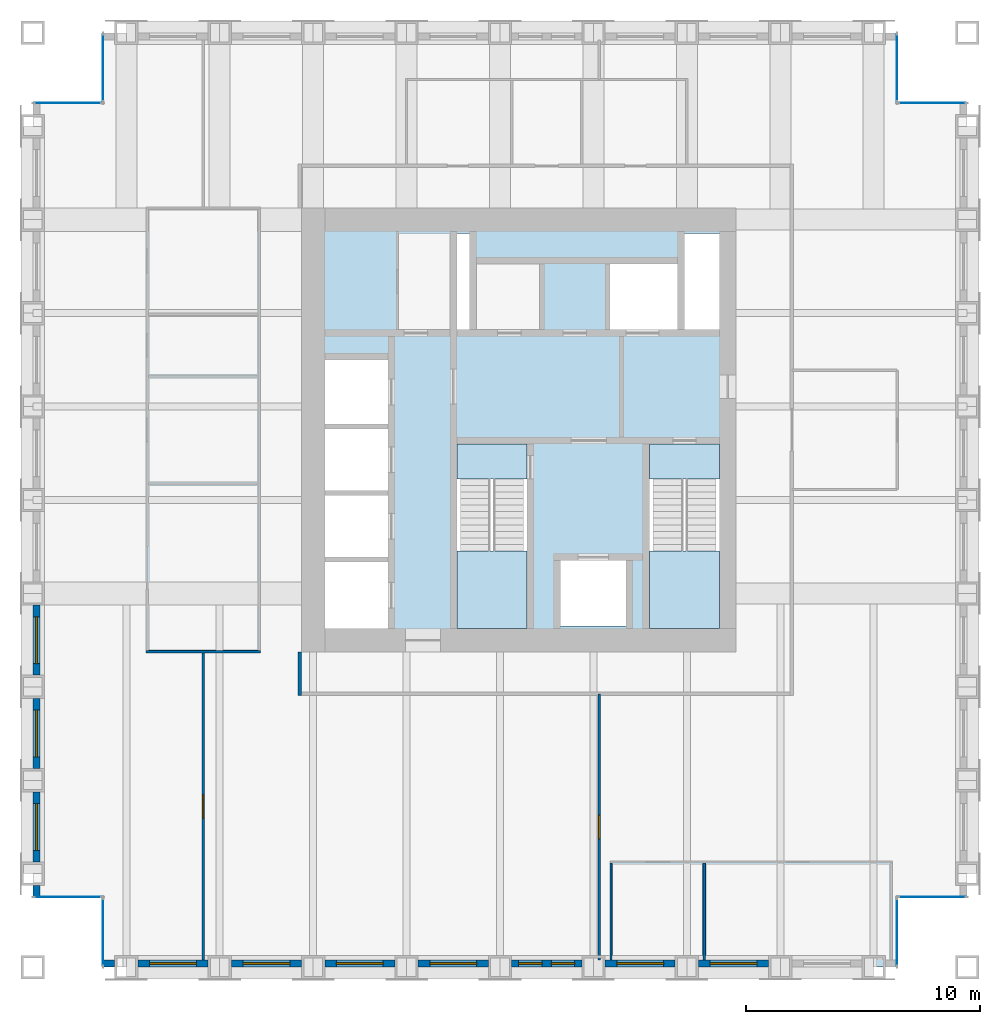
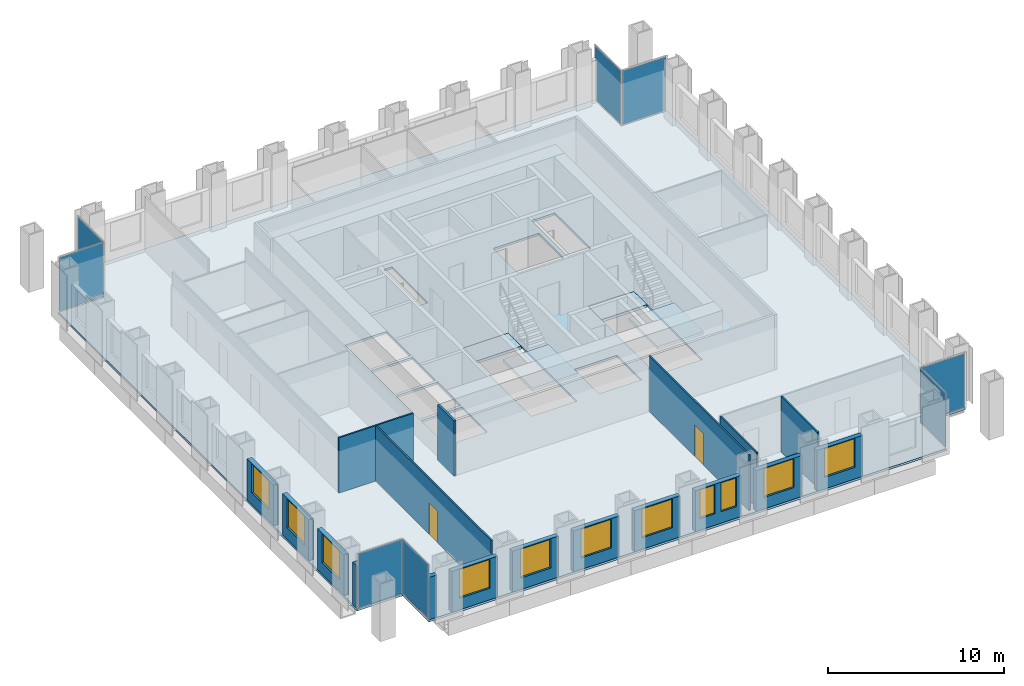
# One storey, part 7 of 11: 18 walls, 11 windows, 8 plates, 5 slabs, 2 doors, 13 openings, 10 elements without a shape of their own.
"""IFC4 building model written with IfcOpenShell, lengths in metres."""

from ifc_helpers import new_model, si_unit, direction, frame, frame_2d, origin, origin_2d, place, context, subcontext, project, spatial, polyline, rectangle, outline, extrude, material, layer, layer_set, type_object, element, fill, aggregate, save


model = new_model("IFC4")

# Units and contexts
model_context = context("Model", 3, precision=1e-05, world=origin(), true_north=direction((0.0, 1.0)))
body_context = subcontext(model_context, "Body", "Model", "MODEL_VIEW")
ifc_project = project(units=[si_unit("LENGTHUNIT", "METRE"), si_unit("AREAUNIT", "SQUARE_METRE"), si_unit("VOLUMEUNIT", "CUBIC_METRE"), si_unit("PLANEANGLEUNIT", "RADIAN"), si_unit("MASSUNIT", "GRAM", prefix="KILO")], contexts=[model_context])

# Site, building, storey
site_placement = place(None, origin())
site = spatial("IfcSite", under=ifc_project, at=site_placement, CompositionType="ELEMENT")
building_placement = place(site_placement, origin())
building = spatial("IfcBuilding", under=site, at=building_placement, Name="Rimbunsela Tower", CompositionType="ELEMENT")
storey_placement = place(building_placement, frame((0.0, 0.0, 282.199951171875)))
storey = spatial("IfcBuildingStorey", under=building, at=storey_placement, Name="L68", CompositionType="ELEMENT", Elevation=282.199951171875)

# Slab
ifc_material_1 = material(Name="Concrete fc' 35 MPa", Category="concrete")
ifc_layer_1 = layer(ifc_material_1, 0.14990234375)
ifc_layer_set_1 = layer_set([ifc_layer_1], Name="Floor slab 150")
slab_type_1 = type_object("IfcSlabType", Name="Floor slab 150", PredefinedType="FLOOR", material=ifc_layer_set_1)
slab_1_placement = place(storey_placement, frame((0.0, 0.0, -0.14990234375)))
element("IfcSlab", 1, at=slab_1_placement, inside=storey, type_object=slab_type_1, Name="Floor slab L68", PredefinedType="FLOOR", context=body_context, shape_type="SweptSolid", body=[
    extrude(outline(polyline([(9.0, 4.0), (43.0, 4.0), (43.0, 7.0), (46.0, 7.0), (46.0, 41.0), (43.0, 41.0), (43.0, 44.0), (9.0, 44.0), (9.0, 41.0), (6.0, 41.0), (6.0, 7.0), (9.0, 7.0), (9.0, 4.0)]), holes=[polyline([(21.199951171875, 21.35009765625), (18.5, 21.35009765625), (18.5, 18.5), (21.199951171875, 18.5), (21.199951171875, 21.35009765625)]), polyline([(21.199951171875, 21.550048828125), (21.199951171875, 24.199951171875), (18.5, 24.199951171875), (18.5, 21.550048828125), (21.199951171875, 21.550048828125)]), polyline([(21.199951171875, 27.050048828125), (18.5, 27.050048828125), (18.5, 24.39990234375), (21.199951171875, 24.39990234375), (21.199951171875, 27.050048828125)]), polyline([(21.199951171875, 30.0), (18.5, 30.0), (18.5, 27.25), (21.199951171875, 27.25), (21.199951171875, 30.0)]), polyline([(27.14990234375, 26.39990234375), (24.14990234375, 26.39990234375), (24.14990234375, 18.60009765625), (27.14990234375, 18.60009765625), (27.14990234375, 26.39990234375)]), polyline([(24.699951171875, 31.300048828125), (24.699951171875, 35.39990234375), (24.14990234375, 35.39990234375), (24.14990234375, 31.300048828125), (24.699951171875, 31.300048828125)]), polyline([(31.39990234375, 21.39990234375), (28.60009765625, 21.39990234375), (28.60009765625, 18.60009765625), (31.39990234375, 18.60009765625), (31.39990234375, 21.39990234375)]), polyline([(33.60009765625, 34.10009765625), (30.60009765625, 34.10009765625), (30.60009765625, 31.300048828125), (33.60009765625, 31.300048828125), (33.60009765625, 34.10009765625)]), polyline([(35.39990234375, 18.60009765625), (35.39990234375, 26.39990234375), (32.39990234375, 26.39990234375), (32.39990234375, 18.60009765625), (35.39990234375, 18.60009765625)]), polyline([(35.39990234375, 31.300048828125), (35.39990234375, 35.39990234375), (33.89990234375, 35.39990234375), (33.89990234375, 31.300048828125), (35.39990234375, 31.300048828125)])]), origin(), (0.0, 0.0, 1.0), 0.14990234375),
])

# Curtain wall, plate
ifc_material_2 = material(Name="Aluminium curtain wall", Category="aluminium")
curtain_wall_type = type_object("IfcCurtainWallType", Name="Corner glazing", PredefinedType="USERDEFINED", material=ifc_material_2)
curtain_wall_1_placement = place(storey_placement, origin())
curtain_wall_1 = element("IfcCurtainWall", 2, at=curtain_wall_1_placement, inside=storey, type_object=curtain_wall_type, Name="Corner glazing L68", ObjectType="CORNER GLAZING", PredefinedType="USERDEFINED")
ifc_material_3 = material(Name="Clear double glazing", Category="glass")
ifc_layer_2 = layer(ifc_material_3, 0.028076171875)
ifc_layer_set_2 = layer_set([ifc_layer_2], Name="Glazed panel clear")
plate_type = type_object("IfcPlateType", Name="Glazed panel clear", PredefinedType="CURTAIN_PANEL", material=ifc_layer_set_2)
plate_1_placement = place(storey_placement, frame((43.0, 5.5, 0.06005859375), z_axis=(0.0, 0.0, 1.0), x_axis=(0.0, 1.0, 0.0)))
plate_1 = element("IfcPlate", 3, at=plate_1_placement, type_object=plate_type, Name="CW5 panel 1.1", PredefinedType="CURTAIN_PANEL", context=body_context, shape_type="SweptSolid", body=[
    extrude(rectangle(XDim=2.8798828125, YDim=0.028076171875, at=origin_2d()), origin(), (0.0, 0.0, 1.0), 3.72998046875),
])
aggregate(curtain_wall_1, [plate_1])

curtain_wall_2_placement = place(storey_placement, origin())
curtain_wall_2 = element("IfcCurtainWall", 4, at=curtain_wall_2_placement, inside=storey, type_object=curtain_wall_type, Name="Corner glazing L68", ObjectType="CORNER GLAZING", PredefinedType="USERDEFINED")
plate_2_placement = place(storey_placement, frame((44.5, 7.0, 0.06005859375), z_axis=(0.0, 0.0, 1.0), x_axis=(1.0, 0.0, 0.0)))
plate_2 = element("IfcPlate", 5, at=plate_2_placement, type_object=plate_type, Name="CW5 panel 1.1", PredefinedType="CURTAIN_PANEL", context=body_context, shape_type="SweptSolid", body=[
    extrude(rectangle(XDim=2.8798828125, YDim=0.028076171875, at=origin_2d()), origin(), (0.0, 0.0, 1.0), 3.72998046875),
])
aggregate(curtain_wall_2, [plate_2])

curtain_wall_3_placement = place(storey_placement, origin())
curtain_wall_3 = element("IfcCurtainWall", 6, at=curtain_wall_3_placement, inside=storey, type_object=curtain_wall_type, Name="Corner glazing L68", ObjectType="CORNER GLAZING", PredefinedType="USERDEFINED")
plate_3_placement = place(storey_placement, frame((44.5, 41.0, 0.06005859375), z_axis=(0.0, 0.0, 1.0), x_axis=(-1.0, 0.0, 0.0)))
plate_3 = element("IfcPlate", 7, at=plate_3_placement, type_object=plate_type, Name="CW5 panel 1.1", PredefinedType="CURTAIN_PANEL", context=body_context, shape_type="SweptSolid", body=[
    extrude(rectangle(XDim=2.8798828125, YDim=0.028076171875, at=origin_2d()), origin(), (0.0, 0.0, 1.0), 3.72998046875),
])
aggregate(curtain_wall_3, [plate_3])

curtain_wall_4_placement = place(storey_placement, origin())
curtain_wall_4 = element("IfcCurtainWall", 8, at=curtain_wall_4_placement, inside=storey, type_object=curtain_wall_type, Name="Corner glazing L68", ObjectType="CORNER GLAZING", PredefinedType="USERDEFINED")
plate_4_placement = place(storey_placement, frame((43.0, 42.5, 0.06005859375), z_axis=(0.0, 0.0, 1.0), x_axis=(0.0, 1.0, 0.0)))
plate_4 = element("IfcPlate", 9, at=plate_4_placement, type_object=plate_type, Name="CW5 panel 1.1", PredefinedType="CURTAIN_PANEL", context=body_context, shape_type="SweptSolid", body=[
    extrude(rectangle(XDim=2.8798828125, YDim=0.028076171875, at=origin_2d()), origin(), (0.0, 0.0, 1.0), 3.72998046875),
])
aggregate(curtain_wall_4, [plate_4])

curtain_wall_5_placement = place(storey_placement, origin())
curtain_wall_5 = element("IfcCurtainWall", 10, at=curtain_wall_5_placement, inside=storey, type_object=curtain_wall_type, Name="Corner glazing L68", ObjectType="CORNER GLAZING", PredefinedType="USERDEFINED")
plate_5_placement = place(storey_placement, frame((9.0, 42.5, 0.06005859375), z_axis=(0.0, 0.0, 1.0), x_axis=(0.0, -1.0, 0.0)))
plate_5 = element("IfcPlate", 11, at=plate_5_placement, type_object=plate_type, Name="CW5 panel 1.1", PredefinedType="CURTAIN_PANEL", context=body_context, shape_type="SweptSolid", body=[
    extrude(rectangle(XDim=2.8798828125, YDim=0.028076171875, at=origin_2d()), origin(), (0.0, 0.0, 1.0), 3.72998046875),
])
aggregate(curtain_wall_5, [plate_5])

curtain_wall_6_placement = place(storey_placement, origin())
curtain_wall_6 = element("IfcCurtainWall", 12, at=curtain_wall_6_placement, inside=storey, type_object=curtain_wall_type, Name="Corner glazing L68", ObjectType="CORNER GLAZING", PredefinedType="USERDEFINED")
plate_6_placement = place(storey_placement, frame((7.5, 41.0, 0.06005859375), z_axis=(0.0, 0.0, 1.0), x_axis=(-1.0, 0.0, 0.0)))
plate_6 = element("IfcPlate", 13, at=plate_6_placement, type_object=plate_type, Name="CW5 panel 1.1", PredefinedType="CURTAIN_PANEL", context=body_context, shape_type="SweptSolid", body=[
    extrude(rectangle(XDim=2.8798828125, YDim=0.028076171875, at=origin_2d()), origin(), (0.0, 0.0, 1.0), 3.72998046875),
])
aggregate(curtain_wall_6, [plate_6])

curtain_wall_7_placement = place(storey_placement, origin())
curtain_wall_7 = element("IfcCurtainWall", 14, at=curtain_wall_7_placement, inside=storey, type_object=curtain_wall_type, Name="Corner glazing L68", ObjectType="CORNER GLAZING", PredefinedType="USERDEFINED")
plate_7_placement = place(storey_placement, frame((7.5, 7.0, 0.06005859375), z_axis=(0.0, 0.0, 1.0), x_axis=(1.0, 0.0, 0.0)))
plate_7 = element("IfcPlate", 15, at=plate_7_placement, type_object=plate_type, Name="CW5 panel 1.1", PredefinedType="CURTAIN_PANEL", context=body_context, shape_type="SweptSolid", body=[
    extrude(rectangle(XDim=2.8798828125, YDim=0.028076171875, at=origin_2d()), origin(), (0.0, 0.0, 1.0), 3.72998046875),
])
aggregate(curtain_wall_7, [plate_7])

curtain_wall_8_placement = place(storey_placement, origin())
curtain_wall_8 = element("IfcCurtainWall", 16, at=curtain_wall_8_placement, inside=storey, type_object=curtain_wall_type, Name="Corner glazing L68", ObjectType="CORNER GLAZING", PredefinedType="USERDEFINED")
plate_8_placement = place(storey_placement, frame((9.0, 5.5, 0.06005859375), z_axis=(0.0, 0.0, 1.0), x_axis=(0.0, -1.0, 0.0)))
plate_8 = element("IfcPlate", 17, at=plate_8_placement, type_object=plate_type, Name="CW5 panel 1.1", PredefinedType="CURTAIN_PANEL", context=body_context, shape_type="SweptSolid", body=[
    extrude(rectangle(XDim=2.8798828125, YDim=0.028076171875, at=origin_2d()), origin(), (0.0, 0.0, 1.0), 3.72998046875),
])
aggregate(curtain_wall_8, [plate_8])

# Stair, slabs
ifc_material_4 = material(Name="Concrete fc' 35 MPa", Category="concrete")
stair_type = type_object("IfcStairType", Name="Exit stair 24 risers", PredefinedType="HALF_TURN_STAIR", material=ifc_material_4)
stair_1_placement = place(storey_placement, origin())
stair_1 = element("IfcStair", 18, at=stair_1_placement, inside=storey, type_object=stair_type, Name="Exit stair A L68", PredefinedType="HALF_TURN_STAIR")
ifc_material_5 = material(Name="Concrete fc' 35 MPa", Category="concrete")
ifc_layer_3 = layer(ifc_material_5, 0.199951171875)
ifc_layer_set_3 = layer_set([ifc_layer_3], Name="Stair landing 200")
slab_type_2 = type_object("IfcSlabType", Name="Stair landing 200", PredefinedType="LANDING", material=ifc_layer_set_3)
slab_2_placement = place(storey_placement, frame((0.0, 0.0, -0.199951171875)))
slab_2 = element("IfcSlab", 19, at=slab_2_placement, type_object=slab_type_2, Name="ST-A landing 1", PredefinedType="LANDING", context=body_context, shape_type="SweptSolid", body=[
    extrude(outline(polyline([(24.14990234375, 24.89990234375), (27.14990234375, 24.89990234375), (27.14990234375, 26.39990234375), (24.14990234375, 26.39990234375), (24.14990234375, 24.89990234375)])), origin(), (0.0, 0.0, 1.0), 0.199951171875),
])
slab_3_placement = place(storey_placement, frame((0.0, 0.0, 1.800048828125)))
slab_3 = element("IfcSlab", 20, at=slab_3_placement, type_object=slab_type_2, Name="ST-A landing 2", PredefinedType="LANDING", context=body_context, shape_type="SweptSolid", body=[
    extrude(outline(polyline([(24.14990234375, 18.5), (27.14990234375, 18.5), (27.14990234375, 21.820068359375), (24.14990234375, 21.820068359375), (24.14990234375, 18.5)])), origin(), (0.0, 0.0, 1.0), 0.199951171875),
])
aggregate(stair_1, [slab_2, slab_3])

stair_2_placement = place(storey_placement, origin())
stair_2 = element("IfcStair", 21, at=stair_2_placement, inside=storey, type_object=stair_type, Name="Exit stair B L68", PredefinedType="HALF_TURN_STAIR")
slab_4_placement = place(storey_placement, frame((0.0, 0.0, -0.199951171875)))
slab_4 = element("IfcSlab", 22, at=slab_4_placement, type_object=slab_type_2, Name="ST-B landing 1", PredefinedType="LANDING", context=body_context, shape_type="SweptSolid", body=[
    extrude(outline(polyline([(32.39990234375, 24.89990234375), (35.39990234375, 24.89990234375), (35.39990234375, 26.39990234375), (32.39990234375, 26.39990234375), (32.39990234375, 24.89990234375)])), origin(), (0.0, 0.0, 1.0), 0.199951171875),
])
slab_5_placement = place(storey_placement, frame((0.0, 0.0, 1.800048828125)))
slab_5 = element("IfcSlab", 23, at=slab_5_placement, type_object=slab_type_2, Name="ST-B landing 2", PredefinedType="LANDING", context=body_context, shape_type="SweptSolid", body=[
    extrude(outline(polyline([(32.39990234375, 18.5), (35.39990234375, 18.5), (35.39990234375, 21.820068359375), (32.39990234375, 21.820068359375), (32.39990234375, 18.5)])), origin(), (0.0, 0.0, 1.0), 0.199951171875),
])
aggregate(stair_2, [slab_4, slab_5])

# Walls
ifc_material_6 = material(Name="Gypsum board on steel studs", Category="steel")
ifc_layer_4 = layer(ifc_material_6, 0.10009765625)
ifc_layer_set_4 = layer_set([ifc_layer_4], Name="Office partition 100")
wall_type_1 = type_object("IfcWallType", Name="Office partition 100", PredefinedType="PARTITIONING", material=ifc_layer_set_4)
wall_1_placement = place(storey_placement, frame((10.85009765625, 17.5, 0.0), z_axis=(0.0, 0.0, 1.0), x_axis=(1.0, 0.0, 0.0)))
element("IfcWall", 24, at=wall_1_placement, inside=storey, type_object=wall_type_1, Name="Office partition", PredefinedType="PARTITIONING", context=body_context, shape_type="SweptSolid", body=[
    extrude(rectangle(XDim=4.89990234375, YDim=0.10009765625, at=frame_2d((2.449951171875, 0.0))), origin(), (0.0, 0.0, 1.0), 3.85009765625),
])
for number, where, z_axis, x_axis, name in (
    (25, (30.75, 4.300048828125, 0.0), (0.0, 0.0, 1.0), (0.0, 1.0, 0.0), "Office partition"),
    (26, (34.75, 4.300048828125, 0.0), (0.0, 0.0, 1.0), (0.0, 1.0, 0.0), "Office partition"),
):
    element("IfcWall", number, at=place(storey_placement, frame(where, z_axis=z_axis, x_axis=x_axis)), inside=storey, type_object=wall_type_1, Name=name, PredefinedType="PARTITIONING", context=body_context, shape_type="SweptSolid", body=[
        extrude(rectangle(XDim=4.14990234375, YDim=0.10009765625, at=frame_2d((2.074951171875, 0.0))), origin(), (0.0, 0.0, 1.0), 3.85009765625),
    ])

# Wall, opening, door
wall_2_placement = place(storey_placement, frame((30.25, 15.699951171875, 0.0), z_axis=(0.0, 0.0, 1.0), x_axis=(0.0, -1.0, 0.0)))
wall_2 = element("IfcWall", 27, at=wall_2_placement, inside=storey, type_object=wall_type_1, Name="Office partition", PredefinedType="PARTITIONING", context=body_context, shape_type="SweptSolid", body=[
    extrude(rectangle(XDim=11.39990234375, YDim=0.10009765625, at=frame_2d((5.699951171875, 0.0))), origin(), (0.0, 0.0, 1.0), 3.85009765625),
])
opening_1_placement = place(wall_2_placement, frame((5.199951171875, 0.0, 0.0)))
opening_1 = element("IfcOpeningElement", 28, at=opening_1_placement, cuts=wall_2, Name="Opening D17", PredefinedType="OPENING", context=body_context, shape_type="SweptSolid", body=[
    extrude(rectangle(XDim=1.0, YDim=2.199951171875, at=frame_2d((0.5, 1.10009765625))), frame((0.0, 0.06005859375, 0.0), z_axis=(0.0, -1.0, 0.0), x_axis=(1.0, 0.0, 0.0)), (0.0, 0.0, 1.0), 0.1201171875),
])
ifc_material_7 = material(Name="Glazed aluminium door", Category="aluminium")
door_type = type_object("IfcDoorType", Name="Meeting room door 1000 glazed", OperationType="SINGLE_SWING_RIGHT", PredefinedType="DOOR", material=ifc_material_7)
door_1_placement = place(opening_1_placement, origin())
door_1 = element("IfcDoor", 29, at=door_1_placement, inside=storey, type_object=door_type, Name="Open office screen door", OperationType="SINGLE_SWING_RIGHT", OverallHeight=2.199951171875, OverallWidth=1.0, PredefinedType="DOOR", context=body_context, shape_type="SweptSolid", body=[
    extrude(rectangle(XDim=1.0, YDim=2.199951171875, at=frame_2d((0.5, 1.10009765625))), frame((0.0, 0.02490234375, 0.0), z_axis=(0.0, -1.0, 0.0), x_axis=(1.0, 0.0, 0.0)), (0.0, 0.0, 1.0), 0.050048828125),
])
fill(opening_1, door_1)

wall_3_placement = place(storey_placement, frame((13.300048828125, 4.300048828125, 0.0), z_axis=(0.0, 0.0, 1.0), x_axis=(0.0, 1.0, 0.0)))
wall_3 = element("IfcWall", 30, at=wall_3_placement, inside=storey, type_object=wall_type_1, Name="Office partition", PredefinedType="PARTITIONING", context=body_context, shape_type="SweptSolid", body=[
    extrude(rectangle(XDim=13.14990234375, YDim=0.10009765625, at=frame_2d((6.574951171875, 0.0))), origin(), (0.0, 0.0, 1.0), 3.85009765625),
])
opening_2_placement = place(wall_3_placement, frame((6.074951171875, 0.0, 0.0)))
opening_2 = element("IfcOpeningElement", 31, at=opening_2_placement, cuts=wall_3, Name="Opening D17", PredefinedType="OPENING", context=body_context, shape_type="SweptSolid", body=[
    extrude(rectangle(XDim=1.0, YDim=2.199951171875, at=frame_2d((0.5, 1.10009765625))), frame((0.0, 0.06005859375, 0.0), z_axis=(0.0, -1.0, 0.0), x_axis=(1.0, 0.0, 0.0)), (0.0, 0.0, 1.0), 0.1201171875),
])
door_2_placement = place(opening_2_placement, origin())
door_2 = element("IfcDoor", 32, at=door_2_placement, inside=storey, type_object=door_type, Name="Open office screen door", OperationType="SINGLE_SWING_RIGHT", OverallHeight=2.199951171875, OverallWidth=1.0, PredefinedType="DOOR", context=body_context, shape_type="SweptSolid", body=[
    extrude(rectangle(XDim=1.0, YDim=2.199951171875, at=frame_2d((0.5, 1.10009765625))), frame((0.0, 0.02490234375, 0.0), z_axis=(0.0, -1.0, 0.0), x_axis=(1.0, 0.0, 0.0)), (0.0, 0.0, 1.0), 0.050048828125),
])
fill(opening_2, door_2)

# Wall
ifc_material_8 = material(Name="Precast concrete fc' 35 MPa", Category="concrete")
ifc_layer_5 = layer(ifc_material_8, 0.300048828125)
ifc_layer_set_5 = layer_set([ifc_layer_5], Name="Precast concrete fc' 35 MPa")
wall_type_2 = type_object("IfcWallType", Name="Precast facade panel 300", PredefinedType="ELEMENTEDWALL", material=ifc_layer_set_5)
wall_4_placement = place(storey_placement, frame((9.030029296875, 4.14990234375, 0.0), z_axis=(0.0, 0.0, 1.0), x_axis=(1.0, 0.0, 0.0)))
element("IfcWall", 33, at=wall_4_placement, inside=storey, type_object=wall_type_2, Name="Facade panel S L68", PredefinedType="ELEMENTEDWALL", context=body_context, shape_type="SweptSolid", body=[
    extrude(rectangle(XDim=0.469970703125, YDim=0.300048828125, at=frame_2d((0.23486328125, 0.0))), origin(), (0.0, 0.0, 1.0), 2.949951171875),
])

# Wall, opening, window
wall_5_placement = place(storey_placement, frame((10.5, 4.14990234375, 0.0), z_axis=(0.0, 0.0, 1.0), x_axis=(1.0, 0.0, 0.0)))
wall_5 = element("IfcWall", 34, at=wall_5_placement, inside=storey, type_object=wall_type_2, Name="Facade panel S L68", PredefinedType="ELEMENTEDWALL", context=body_context, shape_type="SweptSolid", body=[
    extrude(rectangle(XDim=3.0, YDim=0.300048828125, at=frame_2d((1.5, 0.0))), origin(), (0.0, 0.0, 1.0), 2.85009765625),
])
opening_3_placement = place(wall_5_placement, frame((0.5, 0.0, 0.800048828125)))
opening_3 = element("IfcOpeningElement", 35, at=opening_3_placement, cuts=wall_5, Name="Opening W1", PredefinedType="OPENING", context=body_context, shape_type="SweptSolid", body=[
    extrude(rectangle(XDim=2.0, YDim=2.0, at=frame_2d((1.0, 1.0))), frame((0.0, 0.159912109375, 0.0), z_axis=(0.0, -1.0, 0.0), x_axis=(1.0, 0.0, 0.0)), (0.0, 0.0, 1.0), 0.320068359375),
])
ifc_material_9 = material(Name="Clear glass in aluminium frame", Category="aluminium")
window_type_1 = type_object("IfcWindowType", Name="Window W1 2000x2000", PartitioningType="DOUBLE_PANEL_VERTICAL", PredefinedType="WINDOW", material=ifc_material_9)
window_1_placement = place(opening_3_placement, origin())
window_1 = element("IfcWindow", 36, at=window_1_placement, inside=storey, type_object=window_type_1, Name="Window L68", OverallHeight=2.0, OverallWidth=2.0, PartitioningType="SINGLE_PANEL", PredefinedType="WINDOW", context=body_context, shape_type="SweptSolid", body=[
    extrude(rectangle(XDim=2.0, YDim=2.0, at=frame_2d((1.0, 1.0))), frame((0.0, 0.030029296875, 0.0), z_axis=(0.0, -1.0, 0.0), x_axis=(1.0, 0.0, 0.0)), (0.0, 0.0, 1.0), 0.06005859375),
])
fill(opening_3, window_1)

wall_6_placement = place(storey_placement, frame((14.5, 4.14990234375, 0.0), z_axis=(0.0, 0.0, 1.0), x_axis=(1.0, 0.0, 0.0)))
wall_6 = element("IfcWall", 37, at=wall_6_placement, inside=storey, type_object=wall_type_2, Name="Facade panel S L68", PredefinedType="ELEMENTEDWALL", context=body_context, shape_type="SweptSolid", body=[
    extrude(rectangle(XDim=3.0, YDim=0.300048828125, at=frame_2d((1.5, 0.0))), origin(), (0.0, 0.0, 1.0), 2.85009765625),
])
opening_4_placement = place(wall_6_placement, frame((0.5, 0.0, 0.800048828125)))
opening_4 = element("IfcOpeningElement", 38, at=opening_4_placement, cuts=wall_6, Name="Opening W1", PredefinedType="OPENING", context=body_context, shape_type="SweptSolid", body=[
    extrude(rectangle(XDim=2.0, YDim=2.0, at=frame_2d((1.0, 1.0))), frame((0.0, 0.159912109375, 0.0), z_axis=(0.0, -1.0, 0.0), x_axis=(1.0, 0.0, 0.0)), (0.0, 0.0, 1.0), 0.320068359375),
])
window_2_placement = place(opening_4_placement, origin())
window_2 = element("IfcWindow", 39, at=window_2_placement, inside=storey, type_object=window_type_1, Name="Window L68", OverallHeight=2.0, OverallWidth=2.0, PartitioningType="SINGLE_PANEL", PredefinedType="WINDOW", context=body_context, shape_type="SweptSolid", body=[
    extrude(rectangle(XDim=2.0, YDim=2.0, at=frame_2d((1.0, 1.0))), frame((0.0, 0.030029296875, 0.0), z_axis=(0.0, -1.0, 0.0), x_axis=(1.0, 0.0, 0.0)), (0.0, 0.0, 1.0), 0.06005859375),
])
fill(opening_4, window_2)

wall_7_placement = place(storey_placement, frame((18.5, 4.14990234375, 0.0), z_axis=(0.0, 0.0, 1.0), x_axis=(1.0, 0.0, 0.0)))
wall_7 = element("IfcWall", 40, at=wall_7_placement, inside=storey, type_object=wall_type_2, Name="Facade panel S L68", PredefinedType="ELEMENTEDWALL", context=body_context, shape_type="SweptSolid", body=[
    extrude(rectangle(XDim=3.0, YDim=0.300048828125, at=frame_2d((1.5, 0.0))), origin(), (0.0, 0.0, 1.0), 2.85009765625),
])
opening_5_placement = place(wall_7_placement, frame((0.5, 0.0, 0.800048828125)))
opening_5 = element("IfcOpeningElement", 41, at=opening_5_placement, cuts=wall_7, Name="Opening W1", PredefinedType="OPENING", context=body_context, shape_type="SweptSolid", body=[
    extrude(rectangle(XDim=2.0, YDim=2.0, at=frame_2d((1.0, 1.0))), frame((0.0, 0.159912109375, 0.0), z_axis=(0.0, -1.0, 0.0), x_axis=(1.0, 0.0, 0.0)), (0.0, 0.0, 1.0), 0.320068359375),
])
window_3_placement = place(opening_5_placement, origin())
window_3 = element("IfcWindow", 42, at=window_3_placement, inside=storey, type_object=window_type_1, Name="Window L68", OverallHeight=2.0, OverallWidth=2.0, PartitioningType="SINGLE_PANEL", PredefinedType="WINDOW", context=body_context, shape_type="SweptSolid", body=[
    extrude(rectangle(XDim=2.0, YDim=2.0, at=frame_2d((1.0, 1.0))), frame((0.0, 0.030029296875, 0.0), z_axis=(0.0, -1.0, 0.0), x_axis=(1.0, 0.0, 0.0)), (0.0, 0.0, 1.0), 0.06005859375),
])
fill(opening_5, window_3)

wall_8_placement = place(storey_placement, frame((22.5, 4.14990234375, 0.0), z_axis=(0.0, 0.0, 1.0), x_axis=(1.0, 0.0, 0.0)))
wall_8 = element("IfcWall", 43, at=wall_8_placement, inside=storey, type_object=wall_type_2, Name="Facade panel S L68", PredefinedType="ELEMENTEDWALL", context=body_context, shape_type="SweptSolid", body=[
    extrude(rectangle(XDim=3.0, YDim=0.300048828125, at=frame_2d((1.5, 0.0))), origin(), (0.0, 0.0, 1.0), 2.85009765625),
])
opening_6_placement = place(wall_8_placement, frame((0.5, 0.0, 0.800048828125)))
opening_6 = element("IfcOpeningElement", 44, at=opening_6_placement, cuts=wall_8, Name="Opening W1", PredefinedType="OPENING", context=body_context, shape_type="SweptSolid", body=[
    extrude(rectangle(XDim=2.0, YDim=2.0, at=frame_2d((1.0, 1.0))), frame((0.0, 0.159912109375, 0.0), z_axis=(0.0, -1.0, 0.0), x_axis=(1.0, 0.0, 0.0)), (0.0, 0.0, 1.0), 0.320068359375),
])
window_4_placement = place(opening_6_placement, origin())
window_4 = element("IfcWindow", 45, at=window_4_placement, inside=storey, type_object=window_type_1, Name="Window L68", OverallHeight=2.0, OverallWidth=2.0, PartitioningType="SINGLE_PANEL", PredefinedType="WINDOW", context=body_context, shape_type="SweptSolid", body=[
    extrude(rectangle(XDim=2.0, YDim=2.0, at=frame_2d((1.0, 1.0))), frame((0.0, 0.030029296875, 0.0), z_axis=(0.0, -1.0, 0.0), x_axis=(1.0, 0.0, 0.0)), (0.0, 0.0, 1.0), 0.06005859375),
])
fill(opening_6, window_4)

# Wall, openings, windows
wall_9_placement = place(storey_placement, frame((26.5, 4.14990234375, 0.0), z_axis=(0.0, 0.0, 1.0), x_axis=(1.0, 0.0, 0.0)))
wall_9 = element("IfcWall", 46, at=wall_9_placement, inside=storey, type_object=wall_type_2, Name="Facade panel S L68", PredefinedType="ELEMENTEDWALL", context=body_context, shape_type="SweptSolid", body=[
    extrude(rectangle(XDim=3.0, YDim=0.300048828125, at=frame_2d((1.5, 0.0))), origin(), (0.0, 0.0, 1.0), 2.85009765625),
])
opening_7_placement = place(wall_9_placement, frame((0.300048828125, 0.0, 0.800048828125)))
opening_7 = element("IfcOpeningElement", 47, at=opening_7_placement, cuts=wall_9, Name="Opening W5", PredefinedType="OPENING", context=body_context, shape_type="SweptSolid", body=[
    extrude(rectangle(XDim=1.0, YDim=2.0, at=frame_2d((0.5, 1.0))), frame((0.0, 0.159912109375, 0.0), z_axis=(0.0, -1.0, 0.0), x_axis=(1.0, 0.0, 0.0)), (0.0, 0.0, 1.0), 0.320068359375),
])
opening_8_placement = place(wall_9_placement, frame((1.699951171875, 0.0, 0.800048828125)))
opening_8 = element("IfcOpeningElement", 48, at=opening_8_placement, cuts=wall_9, Name="Opening W5", PredefinedType="OPENING", context=body_context, shape_type="SweptSolid", body=[
    extrude(rectangle(XDim=1.0, YDim=2.0, at=frame_2d((0.5, 1.0))), frame((0.0, 0.159912109375, 0.0), z_axis=(0.0, -1.0, 0.0), x_axis=(1.0, 0.0, 0.0)), (0.0, 0.0, 1.0), 0.320068359375),
])
ifc_material_10 = material(Name="Clear glass in aluminium frame", Category="aluminium")
window_type_2 = type_object("IfcWindowType", Name="Window W5 1000x2000", PartitioningType="SINGLE_PANEL", PredefinedType="WINDOW", material=ifc_material_10)
window_5_placement = place(opening_7_placement, origin())
window_5 = element("IfcWindow", 49, at=window_5_placement, inside=storey, type_object=window_type_2, Name="Window L68", OverallHeight=2.0, OverallWidth=1.0, PartitioningType="SINGLE_PANEL", PredefinedType="WINDOW", context=body_context, shape_type="SweptSolid", body=[
    extrude(rectangle(XDim=1.0, YDim=2.0, at=frame_2d((0.5, 1.0))), frame((0.0, 0.030029296875, 0.0), z_axis=(0.0, -1.0, 0.0), x_axis=(1.0, 0.0, 0.0)), (0.0, 0.0, 1.0), 0.06005859375),
])
fill(opening_7, window_5)
window_6_placement = place(opening_8_placement, origin())
window_6 = element("IfcWindow", 50, at=window_6_placement, inside=storey, type_object=window_type_2, Name="Window L68", OverallHeight=2.0, OverallWidth=1.0, PartitioningType="SINGLE_PANEL", PredefinedType="WINDOW", context=body_context, shape_type="SweptSolid", body=[
    extrude(rectangle(XDim=1.0, YDim=2.0, at=frame_2d((0.5, 1.0))), frame((0.0, 0.030029296875, 0.0), z_axis=(0.0, -1.0, 0.0), x_axis=(1.0, 0.0, 0.0)), (0.0, 0.0, 1.0), 0.06005859375),
])
fill(opening_8, window_6)

# Wall, opening, window
wall_10_placement = place(storey_placement, frame((30.5, 4.14990234375, 0.0), z_axis=(0.0, 0.0, 1.0), x_axis=(1.0, 0.0, 0.0)))
wall_10 = element("IfcWall", 51, at=wall_10_placement, inside=storey, type_object=wall_type_2, Name="Facade panel S L68", PredefinedType="ELEMENTEDWALL", context=body_context, shape_type="SweptSolid", body=[
    extrude(rectangle(XDim=3.0, YDim=0.300048828125, at=frame_2d((1.5, 0.0))), origin(), (0.0, 0.0, 1.0), 2.85009765625),
])
opening_9_placement = place(wall_10_placement, frame((0.5, 0.0, 0.800048828125)))
opening_9 = element("IfcOpeningElement", 52, at=opening_9_placement, cuts=wall_10, Name="Opening W1", PredefinedType="OPENING", context=body_context, shape_type="SweptSolid", body=[
    extrude(rectangle(XDim=2.0, YDim=2.0, at=frame_2d((1.0, 1.0))), frame((0.0, 0.159912109375, 0.0), z_axis=(0.0, -1.0, 0.0), x_axis=(1.0, 0.0, 0.0)), (0.0, 0.0, 1.0), 0.320068359375),
])
window_7_placement = place(opening_9_placement, origin())
window_7 = element("IfcWindow", 53, at=window_7_placement, inside=storey, type_object=window_type_1, Name="Window L68", OverallHeight=2.0, OverallWidth=2.0, PartitioningType="SINGLE_PANEL", PredefinedType="WINDOW", context=body_context, shape_type="SweptSolid", body=[
    extrude(rectangle(XDim=2.0, YDim=2.0, at=frame_2d((1.0, 1.0))), frame((0.0, 0.030029296875, 0.0), z_axis=(0.0, -1.0, 0.0), x_axis=(1.0, 0.0, 0.0)), (0.0, 0.0, 1.0), 0.06005859375),
])
fill(opening_9, window_7)

wall_11_placement = place(storey_placement, frame((34.5, 4.14990234375, 0.0), z_axis=(0.0, 0.0, 1.0), x_axis=(1.0, 0.0, 0.0)))
wall_11 = element("IfcWall", 54, at=wall_11_placement, inside=storey, type_object=wall_type_2, Name="Facade panel S L68", PredefinedType="ELEMENTEDWALL", context=body_context, shape_type="SweptSolid", body=[
    extrude(rectangle(XDim=3.0, YDim=0.300048828125, at=frame_2d((1.5, 0.0))), origin(), (0.0, 0.0, 1.0), 2.85009765625),
])
opening_10_placement = place(wall_11_placement, frame((0.5, 0.0, 0.800048828125)))
opening_10 = element("IfcOpeningElement", 55, at=opening_10_placement, cuts=wall_11, Name="Opening W1", PredefinedType="OPENING", context=body_context, shape_type="SweptSolid", body=[
    extrude(rectangle(XDim=2.0, YDim=2.0, at=frame_2d((1.0, 1.0))), frame((0.0, 0.159912109375, 0.0), z_axis=(0.0, -1.0, 0.0), x_axis=(1.0, 0.0, 0.0)), (0.0, 0.0, 1.0), 0.320068359375),
])
window_8_placement = place(opening_10_placement, origin())
window_8 = element("IfcWindow", 56, at=window_8_placement, inside=storey, type_object=window_type_1, Name="Window L68", OverallHeight=2.0, OverallWidth=2.0, PartitioningType="SINGLE_PANEL", PredefinedType="WINDOW", context=body_context, shape_type="SweptSolid", body=[
    extrude(rectangle(XDim=2.0, YDim=2.0, at=frame_2d((1.0, 1.0))), frame((0.0, 0.030029296875, 0.0), z_axis=(0.0, -1.0, 0.0), x_axis=(1.0, 0.0, 0.0)), (0.0, 0.0, 1.0), 0.06005859375),
])
fill(opening_10, window_8)

# Wall
wall_12_placement = place(storey_placement, frame((6.14990234375, 7.5, 0.0), z_axis=(0.0, 0.0, 1.0), x_axis=(0.0, -1.0, 0.0)))
element("IfcWall", 57, at=wall_12_placement, inside=storey, type_object=wall_type_2, Name="Facade panel W L68", PredefinedType="ELEMENTEDWALL", context=body_context, shape_type="SweptSolid", body=[
    extrude(rectangle(XDim=0.469970703125, YDim=0.300048828125, at=frame_2d((0.23486328125, 0.0))), origin(), (0.0, 0.0, 1.0), 2.949951171875),
])

# Wall, opening, window
wall_13_placement = place(storey_placement, frame((6.14990234375, 11.5, 0.0), z_axis=(0.0, 0.0, 1.0), x_axis=(0.0, -1.0, 0.0)))
wall_13 = element("IfcWall", 58, at=wall_13_placement, inside=storey, type_object=wall_type_2, Name="Facade panel W L68", PredefinedType="ELEMENTEDWALL", context=body_context, shape_type="SweptSolid", body=[
    extrude(rectangle(XDim=3.0, YDim=0.300048828125, at=frame_2d((1.5, 0.0))), origin(), (0.0, 0.0, 1.0), 2.85009765625),
])
opening_11_placement = place(wall_13_placement, frame((0.5, 0.0, 0.800048828125)))
opening_11 = element("IfcOpeningElement", 59, at=opening_11_placement, cuts=wall_13, Name="Opening W1", PredefinedType="OPENING", context=body_context, shape_type="SweptSolid", body=[
    extrude(rectangle(XDim=2.0, YDim=2.0, at=frame_2d((1.0, 1.0))), frame((0.0, 0.159912109375, 0.0), z_axis=(0.0, -1.0, 0.0), x_axis=(1.0, 0.0, 0.0)), (0.0, 0.0, 1.0), 0.320068359375),
])
window_9_placement = place(opening_11_placement, origin())
window_9 = element("IfcWindow", 60, at=window_9_placement, inside=storey, type_object=window_type_1, Name="Window L68", OverallHeight=2.0, OverallWidth=2.0, PartitioningType="SINGLE_PANEL", PredefinedType="WINDOW", context=body_context, shape_type="SweptSolid", body=[
    extrude(rectangle(XDim=2.0, YDim=2.0, at=frame_2d((1.0, 1.0))), frame((0.0, 0.030029296875, 0.0), z_axis=(0.0, -1.0, 0.0), x_axis=(1.0, 0.0, 0.0)), (0.0, 0.0, 1.0), 0.06005859375),
])
fill(opening_11, window_9)

wall_14_placement = place(storey_placement, frame((6.14990234375, 15.5, 0.0), z_axis=(0.0, 0.0, 1.0), x_axis=(0.0, -1.0, 0.0)))
wall_14 = element("IfcWall", 61, at=wall_14_placement, inside=storey, type_object=wall_type_2, Name="Facade panel W L68", PredefinedType="ELEMENTEDWALL", context=body_context, shape_type="SweptSolid", body=[
    extrude(rectangle(XDim=3.0, YDim=0.300048828125, at=frame_2d((1.5, 0.0))), origin(), (0.0, 0.0, 1.0), 2.85009765625),
])
opening_12_placement = place(wall_14_placement, frame((0.5, 0.0, 0.800048828125)))
opening_12 = element("IfcOpeningElement", 62, at=opening_12_placement, cuts=wall_14, Name="Opening W1", PredefinedType="OPENING", context=body_context, shape_type="SweptSolid", body=[
    extrude(rectangle(XDim=2.0, YDim=2.0, at=frame_2d((1.0, 1.0))), frame((0.0, 0.159912109375, 0.0), z_axis=(0.0, -1.0, 0.0), x_axis=(1.0, 0.0, 0.0)), (0.0, 0.0, 1.0), 0.320068359375),
])
window_10_placement = place(opening_12_placement, origin())
window_10 = element("IfcWindow", 63, at=window_10_placement, inside=storey, type_object=window_type_1, Name="Window L68", OverallHeight=2.0, OverallWidth=2.0, PartitioningType="SINGLE_PANEL", PredefinedType="WINDOW", context=body_context, shape_type="SweptSolid", body=[
    extrude(rectangle(XDim=2.0, YDim=2.0, at=frame_2d((1.0, 1.0))), frame((0.0, 0.030029296875, 0.0), z_axis=(0.0, -1.0, 0.0), x_axis=(1.0, 0.0, 0.0)), (0.0, 0.0, 1.0), 0.06005859375),
])
fill(opening_12, window_10)

wall_15_placement = place(storey_placement, frame((6.14990234375, 19.5, 0.0), z_axis=(0.0, 0.0, 1.0), x_axis=(0.0, -1.0, 0.0)))
wall_15 = element("IfcWall", 64, at=wall_15_placement, inside=storey, type_object=wall_type_2, Name="Facade panel W L68", PredefinedType="ELEMENTEDWALL", context=body_context, shape_type="SweptSolid", body=[
    extrude(rectangle(XDim=3.0, YDim=0.300048828125, at=frame_2d((1.5, 0.0))), origin(), (0.0, 0.0, 1.0), 2.85009765625),
])
opening_13_placement = place(wall_15_placement, frame((0.5, 0.0, 0.800048828125)))
opening_13 = element("IfcOpeningElement", 65, at=opening_13_placement, cuts=wall_15, Name="Opening W1", PredefinedType="OPENING", context=body_context, shape_type="SweptSolid", body=[
    extrude(rectangle(XDim=2.0, YDim=2.0, at=frame_2d((1.0, 1.0))), frame((0.0, 0.159912109375, 0.0), z_axis=(0.0, -1.0, 0.0), x_axis=(1.0, 0.0, 0.0)), (0.0, 0.0, 1.0), 0.320068359375),
])
window_11_placement = place(opening_13_placement, origin())
window_11 = element("IfcWindow", 66, at=window_11_placement, inside=storey, type_object=window_type_1, Name="Window L68", OverallHeight=2.0, OverallWidth=2.0, PartitioningType="SINGLE_PANEL", PredefinedType="WINDOW", context=body_context, shape_type="SweptSolid", body=[
    extrude(rectangle(XDim=2.0, YDim=2.0, at=frame_2d((1.0, 1.0))), frame((0.0, 0.030029296875, 0.0), z_axis=(0.0, -1.0, 0.0), x_axis=(1.0, 0.0, 0.0)), (0.0, 0.0, 1.0), 0.06005859375),
])
fill(opening_13, window_11)

# Wall
ifc_material_11 = material(Name="Fire-rated gypsum board on steel studs, EI 60", Category="steel")
ifc_layer_6 = layer(ifc_material_11, 0.14990234375)
ifc_layer_set_6 = layer_set([ifc_layer_6], Name="Rated corridor wall 150")
wall_type_3 = type_object("IfcWallType", Name="Rated corridor wall 150", PredefinedType="PARTITIONING", material=ifc_layer_set_6)
wall_16_placement = place(storey_placement, frame((17.425048828125, 15.625, 0.0), z_axis=(0.0, 0.0, 1.0), x_axis=(0.0, 1.0, 0.0)))
element("IfcWall", 67, at=wall_16_placement, inside=storey, type_object=wall_type_3, Name="Corridor end wall south", PredefinedType="PARTITIONING", context=body_context, shape_type="SweptSolid", body=[
    extrude(rectangle(XDim=1.875, YDim=0.14990234375, at=frame_2d((0.9375, 0.0))), origin(), (0.0, 0.0, 1.0), 3.85009765625),
])

save(model, "model.ifc")
